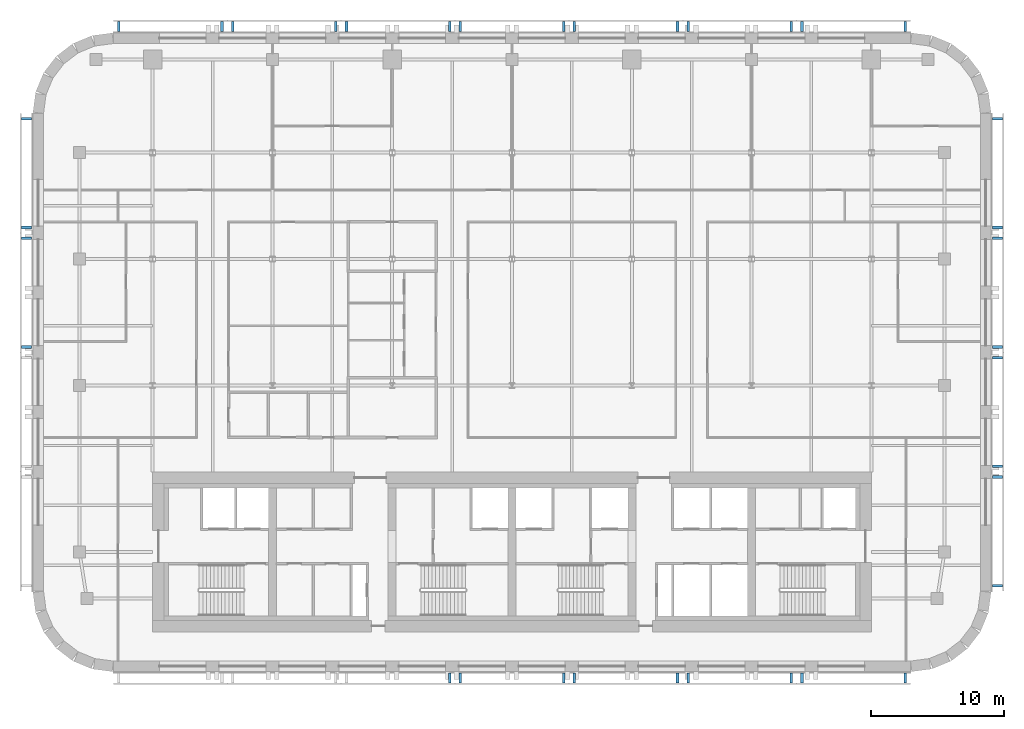
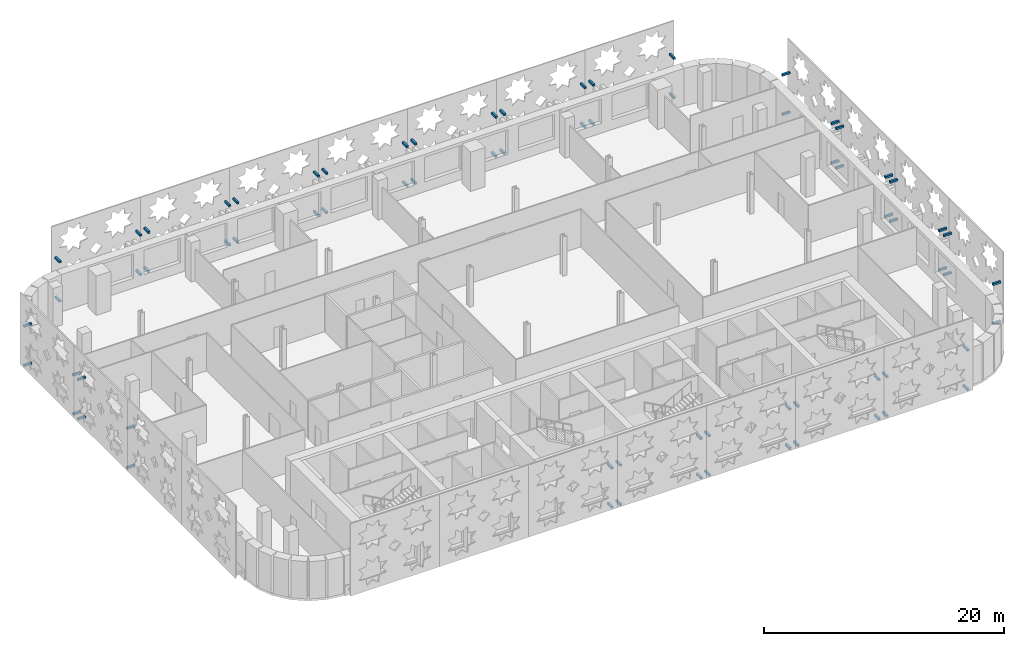
# One storey, part 9 of 13: 70 discrete accessories.
"""IFC4 building model written with IfcOpenShell, lengths in metres."""

from ifc_helpers import new_model, si_unit, direction, frame, origin, origin_2d, place, context, subcontext, project, spatial, rectangle, extrude, material, type_object, element, save


model = new_model("IFC4")

# Units and contexts
model_context = context("Model", 3, precision=1e-05, world=origin(), true_north=direction((0.0, 1.0)))
body_context = subcontext(model_context, "Body", "Model", "MODEL_VIEW")
ifc_project = project(units=[si_unit("LENGTHUNIT", "METRE"), si_unit("AREAUNIT", "SQUARE_METRE"), si_unit("VOLUMEUNIT", "CUBIC_METRE"), si_unit("PLANEANGLEUNIT", "RADIAN"), si_unit("MASSUNIT", "GRAM", prefix="KILO")], contexts=[model_context])

# Site, building, storey
site_placement = place(None, origin())
site = spatial("IfcSite", under=ifc_project, at=site_placement, CompositionType="ELEMENT")
building_placement = place(site_placement, origin())
building = spatial("IfcBuilding", under=site, at=building_placement, Name="Zellij Exchange Tower", CompositionType="ELEMENT")
storey_placement = place(building_placement, frame((0.0, 0.0, 172.5)))
storey = spatial("IfcBuildingStorey", under=building, at=storey_placement, Name="L39", CompositionType="ELEMENT", Elevation=172.5)

# Discrete accessories
ifc_material = material(Name="Stainless steel", Category="steel")
discrete_accessory_type = type_object("IfcDiscreteAccessoryType", Name="ENV-BR1 Stone panel bracket 200", PredefinedType="USERDEFINED", material=ifc_material)
for number, where, z_axis, x_axis, name in (
    (1, (-36.47509765625, 24.547607421875, 0.2998046875), (0.0, 0.0, 1.0), (0.0, -1.0, 0.0), "Panel bracket"),
    (2, (-36.47509765625, 16.373779296875, 0.2998046875), (0.0, 0.0, 1.0), (0.0, -1.0, 0.0), "Panel bracket"),
    (3, (-36.47509765625, 24.547607421875, 4.2998046875), (0.0, 0.0, 1.0), (0.0, -1.0, 0.0), "Panel bracket"),
    (4, (-36.47509765625, 16.373779296875, 4.2998046875), (0.0, 0.0, 1.0), (0.0, -1.0, 0.0), "Panel bracket"),
    (5, (-36.47509765625, 15.57373046875, 0.2998046875), (0.0, 0.0, 1.0), (0.0, -1.0, 0.0), "Panel bracket"),
    (6, (-36.47509765625, 7.39990234375, 0.2998046875), (0.0, 0.0, 1.0), (0.0, -1.0, 0.0), "Panel bracket"),
    (7, (-36.47509765625, 15.57373046875, 4.2998046875), (0.0, 0.0, 1.0), (0.0, -1.0, 0.0), "Panel bracket"),
    (8, (-36.47509765625, 7.39990234375, 4.2998046875), (0.0, 0.0, 1.0), (0.0, -1.0, 0.0), "Panel bracket"),
    (9, (-4.67822265625, -17.47509765625, 0.2998046875), (0.0, 0.0, 1.0), (1.0, 0.0, 0.0), "Panel bracket"),
    (10, (-4.67822265625, -17.47509765625, 4.2998046875), (0.0, 0.0, 1.0), (1.0, 0.0, 0.0), "Panel bracket"),
    (11, (-3.878173828125, -17.47509765625, 0.2998046875), (0.0, 0.0, 1.0), (1.0, 0.0, 0.0), "Panel bracket"),
    (12, (3.878173828125, -17.47509765625, 0.2998046875), (0.0, 0.0, 1.0), (1.0, 0.0, 0.0), "Panel bracket"),
    (13, (-3.878173828125, -17.47509765625, 4.2998046875), (0.0, 0.0, 1.0), (1.0, 0.0, 0.0), "Panel bracket"),
    (14, (3.878173828125, -17.47509765625, 4.2998046875), (0.0, 0.0, 1.0), (1.0, 0.0, 0.0), "Panel bracket"),
    (15, (4.67822265625, -17.47509765625, 0.2998046875), (0.0, 0.0, 1.0), (1.0, 0.0, 0.0), "Panel bracket"),
    (16, (12.434814453125, -17.47509765625, 0.2998046875), (0.0, 0.0, 1.0), (1.0, 0.0, 0.0), "Panel bracket"),
    (17, (4.67822265625, -17.47509765625, 4.2998046875), (0.0, 0.0, 1.0), (1.0, 0.0, 0.0), "Panel bracket"),
    (18, (12.434814453125, -17.47509765625, 4.2998046875), (0.0, 0.0, 1.0), (1.0, 0.0, 0.0), "Panel bracket"),
    (19, (13.234619140625, -17.47509765625, 0.2998046875), (0.0, 0.0, 1.0), (1.0, 0.0, 0.0), "Panel bracket"),
    (20, (20.9912109375, -17.47509765625, 0.2998046875), (0.0, 0.0, 1.0), (1.0, 0.0, 0.0), "Panel bracket"),
    (21, (13.234619140625, -17.47509765625, 4.2998046875), (0.0, 0.0, 1.0), (1.0, 0.0, 0.0), "Panel bracket"),
    (22, (20.9912109375, -17.47509765625, 4.2998046875), (0.0, 0.0, 1.0), (1.0, 0.0, 0.0), "Panel bracket"),
    (23, (21.791015625, -17.47509765625, 0.2998046875), (0.0, 0.0, 1.0), (1.0, 0.0, 0.0), "Panel bracket"),
    (24, (29.547607421875, -17.47509765625, 0.2998046875), (0.0, 0.0, 1.0), (1.0, 0.0, 0.0), "Panel bracket"),
    (25, (21.791015625, -17.47509765625, 4.2998046875), (0.0, 0.0, 1.0), (1.0, 0.0, 0.0), "Panel bracket"),
    (26, (29.547607421875, -17.47509765625, 4.2998046875), (0.0, 0.0, 1.0), (1.0, 0.0, 0.0), "Panel bracket"),
    (27, (29.547607421875, 31.47509765625, 0.2998046875), (0.0, 0.0, 1.0), (-1.0, 0.0, 0.0), "Panel bracket"),
    (28, (21.791015625, 31.47509765625, 0.2998046875), (0.0, 0.0, 1.0), (-1.0, 0.0, 0.0), "Panel bracket"),
    (29, (29.547607421875, 31.47509765625, 4.2998046875), (0.0, 0.0, 1.0), (-1.0, 0.0, 0.0), "Panel bracket"),
    (30, (21.791015625, 31.47509765625, 4.2998046875), (0.0, 0.0, 1.0), (-1.0, 0.0, 0.0), "Panel bracket"),
    (31, (20.9912109375, 31.47509765625, 0.2998046875), (0.0, 0.0, 1.0), (-1.0, 0.0, 0.0), "Panel bracket"),
    (32, (13.234619140625, 31.47509765625, 0.2998046875), (0.0, 0.0, 1.0), (-1.0, 0.0, 0.0), "Panel bracket"),
    (33, (20.9912109375, 31.47509765625, 4.2998046875), (0.0, 0.0, 1.0), (-1.0, 0.0, 0.0), "Panel bracket"),
    (34, (13.234619140625, 31.47509765625, 4.2998046875), (0.0, 0.0, 1.0), (-1.0, 0.0, 0.0), "Panel bracket"),
    (35, (12.434814453125, 31.47509765625, 0.2998046875), (0.0, 0.0, 1.0), (-1.0, 0.0, 0.0), "Panel bracket"),
    (36, (4.67822265625, 31.47509765625, 0.2998046875), (0.0, 0.0, 1.0), (-1.0, 0.0, 0.0), "Panel bracket"),
    (37, (12.434814453125, 31.47509765625, 4.2998046875), (0.0, 0.0, 1.0), (-1.0, 0.0, 0.0), "Panel bracket"),
    (38, (4.67822265625, 31.47509765625, 4.2998046875), (0.0, 0.0, 1.0), (-1.0, 0.0, 0.0), "Panel bracket"),
    (39, (3.878173828125, 31.47509765625, 0.2998046875), (0.0, 0.0, 1.0), (-1.0, 0.0, 0.0), "Panel bracket"),
    (40, (-3.878173828125, 31.47509765625, 0.2998046875), (0.0, 0.0, 1.0), (-1.0, 0.0, 0.0), "Panel bracket"),
    (41, (3.878173828125, 31.47509765625, 4.2998046875), (0.0, 0.0, 1.0), (-1.0, 0.0, 0.0), "Panel bracket"),
    (42, (-3.878173828125, 31.47509765625, 4.2998046875), (0.0, 0.0, 1.0), (-1.0, 0.0, 0.0), "Panel bracket"),
    (43, (-4.67822265625, 31.47509765625, 0.2998046875), (0.0, 0.0, 1.0), (-1.0, 0.0, 0.0), "Panel bracket"),
    (44, (-12.434814453125, 31.47509765625, 0.2998046875), (0.0, 0.0, 1.0), (-1.0, 0.0, 0.0), "Panel bracket"),
    (45, (-4.67822265625, 31.47509765625, 4.2998046875), (0.0, 0.0, 1.0), (-1.0, 0.0, 0.0), "Panel bracket"),
    (46, (-12.434814453125, 31.47509765625, 4.2998046875), (0.0, 0.0, 1.0), (-1.0, 0.0, 0.0), "Panel bracket"),
    (47, (-13.234619140625, 31.47509765625, 0.2998046875), (0.0, 0.0, 1.0), (-1.0, 0.0, 0.0), "Panel bracket"),
    (48, (-20.9912109375, 31.47509765625, 0.2998046875), (0.0, 0.0, 1.0), (-1.0, 0.0, 0.0), "Panel bracket"),
    (49, (-13.234619140625, 31.47509765625, 4.2998046875), (0.0, 0.0, 1.0), (-1.0, 0.0, 0.0), "Panel bracket"),
    (50, (-20.9912109375, 31.47509765625, 4.2998046875), (0.0, 0.0, 1.0), (-1.0, 0.0, 0.0), "Panel bracket"),
    (51, (-21.791015625, 31.47509765625, 0.2998046875), (0.0, 0.0, 1.0), (-1.0, 0.0, 0.0), "Panel bracket"),
    (52, (-29.547607421875, 31.47509765625, 0.2998046875), (0.0, 0.0, 1.0), (-1.0, 0.0, 0.0), "Panel bracket"),
    (53, (-21.791015625, 31.47509765625, 4.2998046875), (0.0, 0.0, 1.0), (-1.0, 0.0, 0.0), "Panel bracket"),
    (54, (-29.547607421875, 31.47509765625, 4.2998046875), (0.0, 0.0, 1.0), (-1.0, 0.0, 0.0), "Panel bracket"),
    (55, (36.47509765625, -10.547607421875, 0.2998046875), (0.0, 0.0, 1.0), (0.0, 1.0, 0.0), "Panel bracket"),
    (56, (36.47509765625, -2.373779296875, 0.2998046875), (0.0, 0.0, 1.0), (0.0, 1.0, 0.0), "Panel bracket"),
    (57, (36.47509765625, -10.547607421875, 4.2998046875), (0.0, 0.0, 1.0), (0.0, 1.0, 0.0), "Panel bracket"),
    (58, (36.47509765625, -2.373779296875, 4.2998046875), (0.0, 0.0, 1.0), (0.0, 1.0, 0.0), "Panel bracket"),
    (59, (36.47509765625, -1.57373046875, 0.2998046875), (0.0, 0.0, 1.0), (0.0, 1.0, 0.0), "Panel bracket"),
    (60, (36.47509765625, 6.60009765625, 0.2998046875), (0.0, 0.0, 1.0), (0.0, 1.0, 0.0), "Panel bracket"),
    (61, (36.47509765625, -1.57373046875, 4.2998046875), (0.0, 0.0, 1.0), (0.0, 1.0, 0.0), "Panel bracket"),
    (62, (36.47509765625, 6.60009765625, 4.2998046875), (0.0, 0.0, 1.0), (0.0, 1.0, 0.0), "Panel bracket"),
    (63, (36.47509765625, 7.39990234375, 0.2998046875), (0.0, 0.0, 1.0), (0.0, 1.0, 0.0), "Panel bracket"),
    (64, (36.47509765625, 15.57373046875, 0.2998046875), (0.0, 0.0, 1.0), (0.0, 1.0, 0.0), "Panel bracket"),
    (65, (36.47509765625, 7.39990234375, 4.2998046875), (0.0, 0.0, 1.0), (0.0, 1.0, 0.0), "Panel bracket"),
    (66, (36.47509765625, 15.57373046875, 4.2998046875), (0.0, 0.0, 1.0), (0.0, 1.0, 0.0), "Panel bracket"),
    (67, (36.47509765625, 16.373779296875, 0.2998046875), (0.0, 0.0, 1.0), (0.0, 1.0, 0.0), "Panel bracket"),
    (68, (36.47509765625, 24.547607421875, 0.2998046875), (0.0, 0.0, 1.0), (0.0, 1.0, 0.0), "Panel bracket"),
    (69, (36.47509765625, 16.373779296875, 4.2998046875), (0.0, 0.0, 1.0), (0.0, 1.0, 0.0), "Panel bracket"),
    (70, (36.47509765625, 24.547607421875, 4.2998046875), (0.0, 0.0, 1.0), (0.0, 1.0, 0.0), "Panel bracket"),
):
    element("IfcDiscreteAccessory", number, at=place(storey_placement, frame(where, z_axis=z_axis, x_axis=x_axis)), inside=storey, type_object=discrete_accessory_type, Name=name, ObjectType="BRACKET", PredefinedType="USERDEFINED", context=body_context, shape_type="SweptSolid", body=[
        extrude(rectangle(XDim=0.199951171875, YDim=0.75, at=origin_2d()), origin(), (0.0, 0.0, 1.0), 0.199951171875),
    ])

save(model, "model.ifc")
